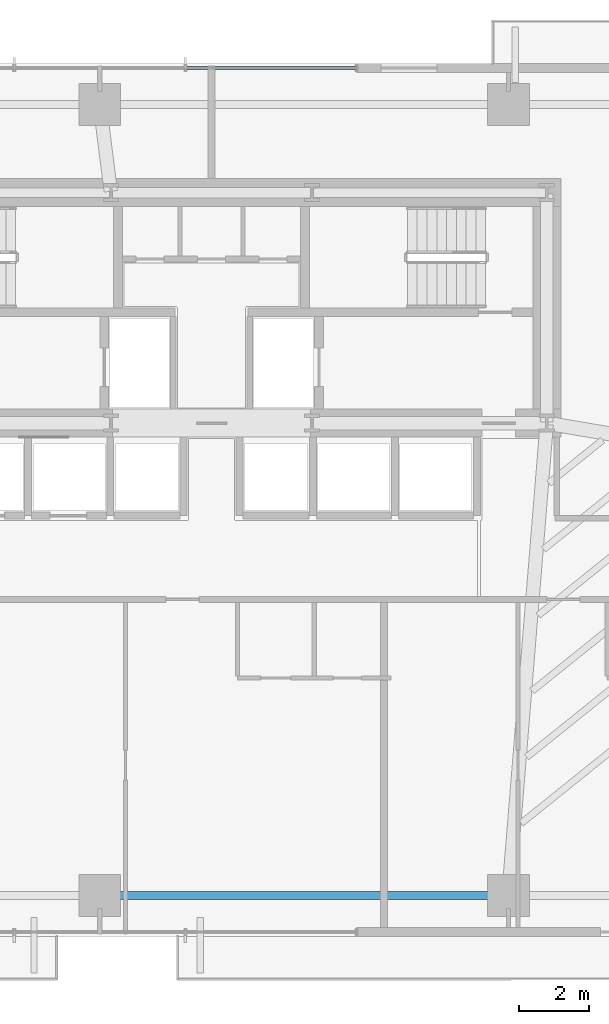
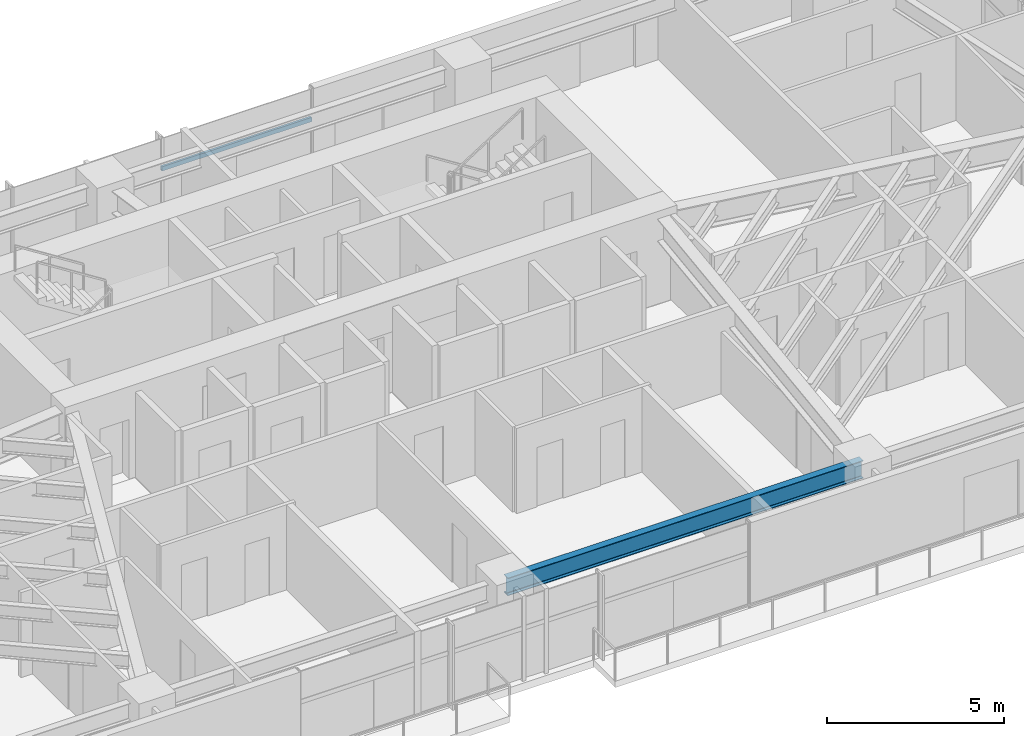
# One storey, part 11 of 25: 1 beam, 1 member, 1 element without a shape of its own.
"""IFC4 building model written with IfcOpenShell, lengths in metres."""

from ifc_helpers import new_model, si_unit, direction, frame, origin, origin_2d, place, context, subcontext, project, spatial, hollow_rectangle, i_section, extrude, source, transform, mapped, material, material_profile, profile_set, type_object, type_shapes, element, aggregate, save


model = new_model("IFC4")

# Units and contexts
model_context = context("Model", 3, precision=1e-05, world=origin(), true_north=direction((0.0, 1.0)))
body_context = subcontext(model_context, "Body", "Model", "MODEL_VIEW")
ifc_project = project(units=[si_unit("LENGTHUNIT", "METRE"), si_unit("AREAUNIT", "SQUARE_METRE"), si_unit("VOLUMEUNIT", "CUBIC_METRE"), si_unit("PLANEANGLEUNIT", "RADIAN"), si_unit("MASSUNIT", "GRAM", prefix="KILO")], contexts=[model_context])

# Site, building, storey
site_placement = place(None, origin())
site = spatial("IfcSite", under=ifc_project, at=site_placement, CompositionType="ELEMENT")
building_placement = place(site_placement, origin())
building = spatial("IfcBuilding", under=site, at=building_placement, Name="Astriad Promenade Condominiums", CompositionType="ELEMENT")
storey_placement = place(building_placement, frame((0.0, 0.0, 55.0)))
storey = spatial("IfcBuildingStorey", under=building, at=storey_placement, Name="L15", CompositionType="ELEMENT", Elevation=55.0)

# Beam
ifc_material_1 = material(Name="Steel ASTM A992 Grade 50", Category="steel")
ifc_material_profile_1 = material_profile(ifc_material_1, i_section(OverallWidth=0.22900390625, OverallDepth=0.612060546875, WebThickness=0.011962890625, FlangeThickness=0.01953125, FilletRadius=0.017822265625, at=origin_2d()), Name="W24X84")
ifc_profile_set_1 = profile_set([ifc_material_profile_1], Name="Steel ASTM A992 Grade 50")
beam_type = type_object("IfcBeamType", Name="STEEL SPANDREL BEAM W24X84", PredefinedType="SPANDREL", material=ifc_profile_set_1)
shared_shape_1 = source(origin(), body_context, "Body", "SweptSolid", [
    extrude(i_section(OverallWidth=0.22900390625, OverallDepth=0.612060546875, WebThickness=0.011962890625, FlangeThickness=0.01953125, FilletRadius=0.017822265625, at=origin_2d()), origin(), (0.0, 0.0, 1.0), 11.619873046875),
])
type_shapes(beam_type, [shared_shape_1])
beam_placement = place(storey_placement, frame((32.840087890625, 3.8798828125, 2.6337890625), z_axis=(1.0, 0.0, 0.0), x_axis=(0.0, 1.0, 0.0)))
element("IfcBeam", 1, at=beam_placement, inside=storey, type_object=beam_type, Name="Perimeter Spandrel Beam SP-S3-L15", PredefinedType="SPANDREL", context=body_context, shape_type="MappedRepresentation", body=[
    mapped(shared_shape_1, transform((0.0, 0.0, 0.0), scale=1.0)),
])

# Curtain wall, member
ifc_material_2 = material(Name="Anodised aluminium Black Dark Glass Unitised", Category="aluminium")
curtain_wall_type = type_object("IfcCurtainWallType", Name="CW-B1-DARK", PredefinedType="USERDEFINED", material=ifc_material_2)
curtain_wall_placement = place(storey_placement, origin())
curtain_wall = element("IfcCurtainWall", 2, at=curtain_wall_placement, inside=storey, type_object=curtain_wall_type, Name="CW-L15-N", ObjectType="UNITISED_CURTAIN_WALL", PredefinedType="USERDEFINED")
ifc_material_3 = material(Name="Anodised aluminium 6063-T6 Black", Category="aluminium")
ifc_material_profile_2 = material_profile(ifc_material_3, hollow_rectangle(XDim=0.074951171875, YDim=0.14990234375, WallThickness=0.004150390625, at=origin_2d()), Name="ALU-TRN-75X150")
ifc_profile_set_2 = profile_set([ifc_material_profile_2], Name="Anodised aluminium 6063-T6 Black")
member_type = type_object("IfcMemberType", Name="TRN-ALU-TRN-75X150", PredefinedType="USERDEFINED", material=ifc_profile_set_2)
shared_shape_2 = source(origin(), body_context, "Body", "SweptSolid", [
    extrude(hollow_rectangle(XDim=0.074951171875, YDim=0.14990234375, WallThickness=0.004150390625, at=origin_2d()), origin(), (0.0, 0.0, 1.0), 4.89990234375),
])
type_shapes(member_type, [shared_shape_2])
member_placement = place(storey_placement, frame((35.25, 27.570068359375, 1.82275390625), z_axis=(1.0, 0.0, 0.0), x_axis=(0.0, 1.0, 0.0)))
member = element("IfcMember", 3, at=member_placement, type_object=member_type, Name="CW-L15-N-TRN-02-0", ObjectType="TRANSOM", PredefinedType="USERDEFINED", context=body_context, shape_type="MappedRepresentation", body=[
    mapped(shared_shape_2, transform((0.0, 0.0, 0.0), scale=1.0)),
])
aggregate(curtain_wall, [member])

save(model, "model.ifc")
